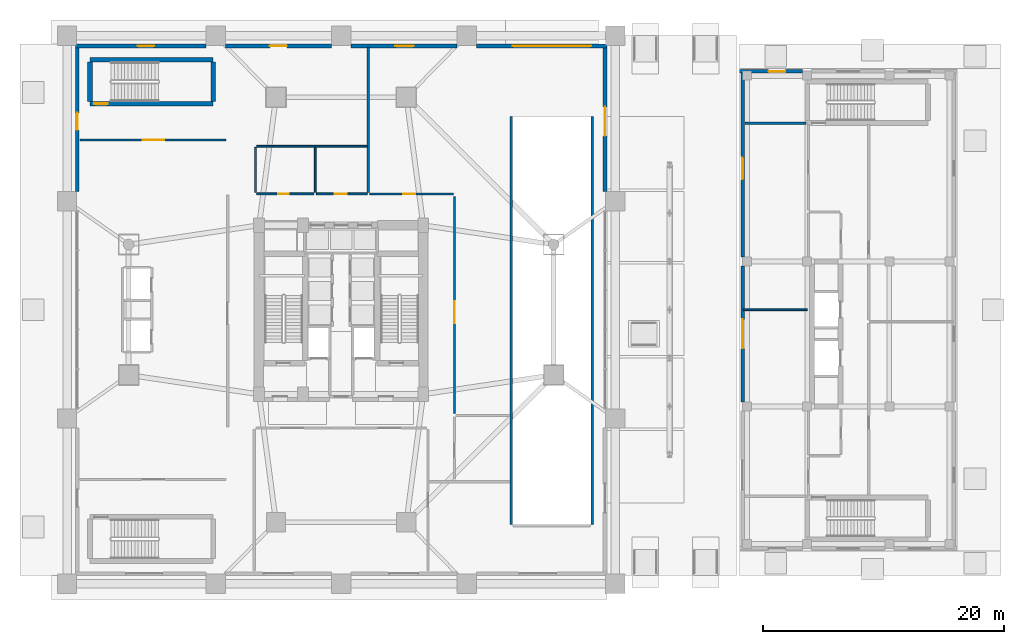
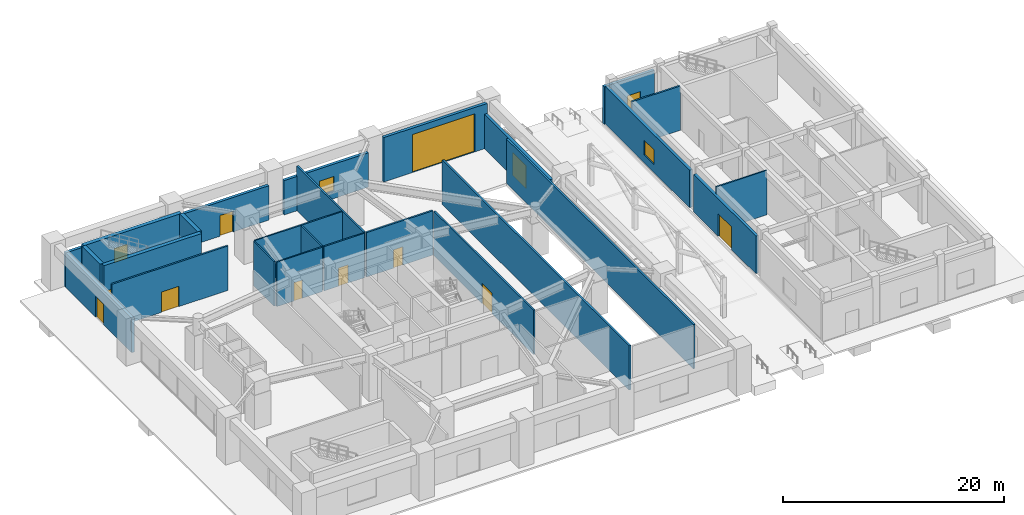
# One storey, part 20 of 27: 26 walls, 12 doors, 3 windows, 15 openings.
"""IFC4 building model written with IfcOpenShell, lengths in metres."""

from ifc_helpers import new_model, si_unit, direction, frame, frame_2d, origin, place, context, subcontext, project, spatial, rectangle, extrude, source, transform, mapped, material, layer, layer_set, type_object, element, fill, save


model = new_model("IFC4")

# Units and contexts
model_context = context("Model", 3, precision=1e-05, world=origin(), true_north=direction((0.0, 1.0)))
body_context = subcontext(model_context, "Body", "Model", "MODEL_VIEW")
ifc_project = project(units=[si_unit("LENGTHUNIT", "METRE"), si_unit("AREAUNIT", "SQUARE_METRE"), si_unit("VOLUMEUNIT", "CUBIC_METRE"), si_unit("PLANEANGLEUNIT", "RADIAN"), si_unit("MASSUNIT", "GRAM", prefix="KILO")], contexts=[model_context])

# Site, building, storey
site_placement = place(None, origin())
site = spatial("IfcSite", under=ifc_project, at=site_placement, CompositionType="ELEMENT")
building_placement = place(site_placement, origin())
building = spatial("IfcBuilding", under=site, at=building_placement, Name="Veraguas Prism Commons", CompositionType="ELEMENT")
storey_placement = place(building_placement, origin())
storey = spatial("IfcBuildingStorey", under=building, at=storey_placement, Name="L00", CompositionType="ELEMENT", Elevation=0.0)

# Wall, opening, door
ifc_material_1 = material(Name="Concrete C50/60", Category="concrete")
ifc_layer_1 = layer(ifc_material_1, 0.39990234375, Name="Clinic and Mid Core Shear Wall RC 400", Category="concrete")
ifc_layer_set_1 = layer_set([ifc_layer_1], Name="Concrete C50/60")
wall_type_1 = type_object("IfcWallType", Name="Clinic and Mid Core Shear Wall RC 400", PredefinedType="SHEAR", material=ifc_layer_set_1)
wall_1_placement = place(storey_placement, frame((3.199951171875, 41.06005859375, 0.0), z_axis=(0.0, 0.0, 1.0), x_axis=(1.0, 0.0, 0.0)))
wall_1 = element("IfcWall", 1, at=wall_1_placement, inside=storey, type_object=wall_type_1, Name="ST-M2 South Shear Wall L00", PredefinedType="SHEAR", context=body_context, shape_type="SweptSolid", body=[
    extrude(rectangle(XDim=10.199951171875, YDim=0.39990234375, at=frame_2d((5.10009765625, 0.0))), origin(), (0.0, 0.0, 1.0), 4.89990234375),
])
opening_1_placement = place(wall_1_placement, frame((0.35009765625, 0.0, 0.0)))
opening_1 = element("IfcOpeningElement", 2, at=opening_1_placement, cuts=wall_1, Name="Opening DR-05", PredefinedType="OPENING", context=body_context, shape_type="SweptSolid", body=[
    extrude(rectangle(XDim=1.10009765625, YDim=2.030029296875, at=frame_2d((0.550048828125, 1.01513671875))), frame((0.0, 0.2099609375, 0.0), z_axis=(0.0, -1.0, 0.0), x_axis=(1.0, 0.0, 0.0)), (0.0, 0.0, 1.0), 0.419921875),
])
ifc_material_2 = material(Name="Steel fire-rated door assembly", Category="steel")
door_type_1 = type_object("IfcDoorType", Name="Protected Stair and Refuge Fire Door 1100x2030", OperationType="NOTDEFINED", PredefinedType="DOOR", material=ifc_material_2)
shared_shape_1 = source(origin(), body_context, "Body", "SweptSolid", [
    extrude(rectangle(XDim=1.10009765625, YDim=2.030029296875, at=frame_2d((0.550048828125, 1.01513671875))), frame((0.0, 0.02490234375, 0.0), z_axis=(0.0, -1.0, 0.0), x_axis=(1.0, 0.0, 0.0)), (0.0, 0.0, 1.0), 0.050048828125),
])
door_1_placement = place(opening_1_placement, origin())
door_1 = element("IfcDoor", 3, at=door_1_placement, inside=storey, type_object=door_type_1, Name="Metro Stair ST-M2 Door L00", OperationType="SINGLE_SWING_RIGHT", OverallHeight=2.030029296875, OverallWidth=1.10009765625, PredefinedType="DOOR", context=body_context, shape_type="MappedRepresentation", body=[
    mapped(shared_shape_1, transform((0.0, 0.0, 0.0), scale=1.0)),
])
fill(opening_1, door_1)

# Walls
wall_2_placement = place(storey_placement, frame((3.199951171875, 44.7099609375, 0.0), z_axis=(0.0, 0.0, 1.0), x_axis=(1.0, 0.0, 0.0)))
element("IfcWall", 4, at=wall_2_placement, inside=storey, type_object=wall_type_1, Name="ST-M2 North Shear Wall L00", PredefinedType="SHEAR", context=body_context, shape_type="SweptSolid", body=[
    extrude(rectangle(XDim=10.199951171875, YDim=0.39990234375, at=frame_2d((5.10009765625, 0.0))), origin(), (0.0, 0.0, 1.0), 4.89990234375),
])
for number, where, z_axis, x_axis, name in (
    (5, (3.199951171875, 41.260009765625, 0.0), (0.0, 0.0, 1.0), (0.0, 1.0, 0.0), "ST-M2 West Shear Wall L00"),
    (6, (13.39990234375, 41.260009765625, 0.0), (0.0, 0.0, 1.0), (0.0, 1.0, 0.0), "ST-M2 East Shear Wall L00"),
):
    element("IfcWall", number, at=place(storey_placement, frame(where, z_axis=z_axis, x_axis=x_axis)), inside=storey, type_object=wall_type_1, Name=name, PredefinedType="SHEAR", context=body_context, shape_type="SweptSolid", body=[
        extrude(rectangle(XDim=3.25, YDim=0.39990234375, at=frame_2d((1.625, 0.0))), origin(), (0.0, 0.0, 1.0), 4.89990234375),
    ])

# Wall, opening, door
ifc_material_3 = material(Name="Autoclaved aerated masonry block 10 MPa", Category="masonry")
ifc_layer_2 = layer(ifc_material_3, 0.179931640625, Name="Corridor and Inter-Tenancy Partition 180", Category="masonry")
ifc_layer_set_2 = layer_set([ifc_layer_2], Name="Autoclaved aerated masonry block 10 MPa")
wall_type_2 = type_object("IfcWallType", Name="Corridor and Inter-Tenancy Partition 180", PredefinedType="PARTITIONING", material=ifc_layer_set_2)
wall_3_placement = place(storey_placement, frame((2.35009765625, 38.050048828125, 0.0), z_axis=(0.0, 0.0, 1.0), x_axis=(1.0, 0.0, 0.0)))
wall_3 = element("IfcWall", 7, at=wall_3_placement, inside=storey, type_object=wall_type_2, Name="WL-L00-MPAS2", PredefinedType="PARTITIONING", context=body_context, shape_type="SweptSolid", body=[
    extrude(rectangle(XDim=12.1298828125, YDim=0.179931640625, at=frame_2d((6.06494140625, 0.0))), origin(), (0.0, 0.0, 1.0), 4.89990234375),
])
opening_2_placement = place(wall_3_placement, frame((5.199951171875, 0.0, 0.0)))
opening_2 = element("IfcOpeningElement", 8, at=opening_2_placement, cuts=wall_3, Name="Opening DR-07", PredefinedType="OPENING", context=body_context, shape_type="SweptSolid", body=[
    extrude(rectangle(XDim=1.800048828125, YDim=2.25, at=frame_2d((0.89990234375, 1.125))), frame((0.0, 0.099853515625, 0.0), z_axis=(0.0, -1.0, 0.0), x_axis=(1.0, 0.0, 0.0)), (0.0, 0.0, 1.0), 0.199951171875),
])
door_type_2 = type_object("IfcDoorType", Name="Corridor Double Fire Door 1800x2250", OperationType="NOTDEFINED", PredefinedType="DOOR", material=ifc_material_2)
shared_shape_2 = source(origin(), body_context, "Body", "SweptSolid", [
    extrude(rectangle(XDim=1.800048828125, YDim=2.25, at=frame_2d((0.89990234375, 1.125))), frame((0.0, 0.02490234375, 0.0), z_axis=(0.0, -1.0, 0.0), x_axis=(1.0, 0.0, 0.0)), (0.0, 0.0, 1.0), 0.050048828125),
])
door_2_placement = place(opening_2_placement, origin())
door_2 = element("IfcDoor", 9, at=door_2_placement, inside=storey, type_object=door_type_2, Name="Metro North Passage Fire Door L00", OperationType="SINGLE_SWING_RIGHT", OverallHeight=2.25, OverallWidth=1.800048828125, PredefinedType="DOOR", context=body_context, shape_type="MappedRepresentation", body=[
    mapped(shared_shape_2, transform((0.0, 0.0, 0.0), scale=1.0)),
])
fill(opening_2, door_2)

wall_4_placement = place(storey_placement, frame((33.39990234375, 15.39990234375, 0.0), z_axis=(0.0, 0.0, 1.0), x_axis=(0.0, 1.0, 0.0)))
wall_4 = element("IfcWall", 10, at=wall_4_placement, inside=storey, type_object=wall_type_2, Name="WL-L00-PT05", PredefinedType="PARTITIONING", context=body_context, shape_type="SweptSolid", body=[
    extrude(rectangle(XDim=18.0, YDim=0.179931640625, at=frame_2d((9.0, 0.0))), origin(), (0.0, 0.0, 1.0), 4.89990234375),
])
opening_3_placement = place(wall_4_placement, frame((7.5, 0.0, 0.0)))
opening_3 = element("IfcOpeningElement", 11, at=opening_3_placement, cuts=wall_4, Name="Opening DR-07", PredefinedType="OPENING", context=body_context, shape_type="SweptSolid", body=[
    extrude(rectangle(XDim=1.800048828125, YDim=2.25, at=frame_2d((0.89990234375, 1.125))), frame((0.0, 0.099853515625, 0.0), z_axis=(0.0, -1.0, 0.0), x_axis=(1.0, 0.0, 0.0)), (0.0, 0.0, 1.0), 0.199951171875),
])
door_3_placement = place(opening_3_placement, origin())
door_3 = element("IfcDoor", 12, at=door_3_placement, inside=storey, type_object=door_type_2, Name="Residential Lobby Door L00", OperationType="SINGLE_SWING_RIGHT", OverallHeight=2.25, OverallWidth=1.800048828125, PredefinedType="DOOR", context=body_context, shape_type="MappedRepresentation", body=[
    mapped(shared_shape_2, transform((0.0, 0.0, 0.0), scale=1.0)),
])
fill(opening_3, door_3)

wall_5_placement = place(storey_placement, frame((26.35009765625, 33.60009765625, 0.0), z_axis=(0.0, 0.0, 1.0), x_axis=(1.0, 0.0, 0.0)))
wall_5 = element("IfcWall", 13, at=wall_5_placement, inside=storey, type_object=wall_type_2, Name="WL-L00-PT10", PredefinedType="PARTITIONING", context=body_context, shape_type="SweptSolid", body=[
    extrude(rectangle(XDim=6.949951171875, YDim=0.179931640625, at=frame_2d((3.47509765625, 0.0))), origin(), (0.0, 0.0, 1.0), 4.89990234375),
])
opening_4_placement = place(wall_5_placement, frame((2.800048828125, 0.0, 0.0)))
opening_4 = element("IfcOpeningElement", 14, at=opening_4_placement, cuts=wall_5, Name="Opening DR-13", PredefinedType="OPENING", context=body_context, shape_type="SweptSolid", body=[
    extrude(rectangle(XDim=1.0, YDim=2.010009765625, at=frame_2d((0.5, 1.0048828125))), frame((0.0, 0.099853515625, 0.0), z_axis=(0.0, -1.0, 0.0), x_axis=(1.0, 0.0, 0.0)), (0.0, 0.0, 1.0), 0.199951171875),
])
door_type_3 = type_object("IfcDoorType", Name="Core Accessible WC and Clinic Fire Door 1000x2010", OperationType="NOTDEFINED", PredefinedType="DOOR", material=ifc_material_2)
shared_shape_3 = source(origin(), body_context, "Body", "SweptSolid", [
    extrude(rectangle(XDim=1.0, YDim=2.010009765625, at=frame_2d((0.5, 1.0048828125))), frame((0.0, 0.02490234375, 0.0), z_axis=(0.0, -1.0, 0.0), x_axis=(1.0, 0.0, 0.0)), (0.0, 0.0, 1.0), 0.050048828125),
])
door_4_placement = place(opening_4_placement, origin())
door_4 = element("IfcDoor", 15, at=door_4_placement, inside=storey, type_object=door_type_3, Name="Bicycle Hub Door L00", OperationType="SINGLE_SWING_LEFT", OverallHeight=2.010009765625, OverallWidth=1.0, PredefinedType="DOOR", context=body_context, shape_type="MappedRepresentation", body=[
    mapped(shared_shape_3, transform((0.0, 0.0, 0.0), scale=1.0)),
])
fill(opening_4, door_4)

# Walls
wall_6_placement = place(storey_placement, frame((26.25, 33.719970703125, 0.0), z_axis=(0.0, 0.0, 1.0), x_axis=(0.0, 1.0, 0.0)))
element("IfcWall", 16, at=wall_6_placement, inside=storey, type_object=wall_type_2, Name="WL-L00-PT12", PredefinedType="PARTITIONING", context=body_context, shape_type="SweptSolid", body=[
    extrude(rectangle(XDim=12.06005859375, YDim=0.179931640625, at=frame_2d((6.030029296875, 0.0))), origin(), (0.0, 0.0, 1.0), 4.89990234375),
])
wall_7_placement = place(storey_placement, frame((57.449951171875, 39.449951171875, 0.0), z_axis=(0.0, 0.0, 1.0), x_axis=(1.0, 0.0, 0.0)))
element("IfcWall", 17, at=wall_7_placement, inside=storey, type_object=wall_type_2, Name="WL-L00-HCEXN", PredefinedType="PARTITIONING", context=body_context, shape_type="SweptSolid", body=[
    extrude(rectangle(XDim=5.050048828125, YDim=0.179931640625, at=frame_2d((2.52490234375, 0.0))), origin(), (0.0, 0.0, 1.0), 4.89990234375),
])

# Wall, opening, door
ifc_material_4 = material(Name="Precast concrete C40/50", Category="concrete")
ifc_layer_3 = layer(ifc_material_4, 0.300048828125, Name="External Precast Facade Wall 300", Category="concrete")
ifc_layer_set_3 = layer_set([ifc_layer_3], Name="Precast concrete C40/50")
wall_type_3 = type_object("IfcWallType", Name="External Precast Facade Wall 300", PredefinedType="SOLIDWALL", material=ifc_layer_set_3)
wall_8_placement = place(storey_placement, frame((45.85009765625, 33.800048828125, 0.0), z_axis=(0.0, 0.0, 1.0), x_axis=(0.0, 1.0, 0.0)))
wall_8 = element("IfcWall", 18, at=wall_8_placement, inside=storey, type_object=wall_type_3, Name="Podium East Plaza Wall L00-03", PredefinedType="SOLIDWALL", context=body_context, shape_type="SweptSolid", body=[
    extrude(rectangle(XDim=11.89990234375, YDim=0.300048828125, at=frame_2d((5.949951171875, 0.0))), origin(), (0.0, 0.0, 1.0), 3.800048828125),
])
opening_5_placement = place(wall_8_placement, frame((4.60009765625, 0.0, 0.0)))
opening_5 = element("IfcOpeningElement", 19, at=opening_5_placement, cuts=wall_8, Name="Opening DR-08", PredefinedType="OPENING", context=body_context, shape_type="SweptSolid", body=[
    extrude(rectangle(XDim=2.39990234375, YDim=2.5, at=frame_2d((1.199951171875, 1.25))), frame((0.0, 0.159912109375, 0.0), z_axis=(0.0, -1.0, 0.0), x_axis=(1.0, 0.0, 0.0)), (0.0, 0.0, 1.0), 0.320068359375),
])
ifc_material_5 = material(Name="Anodised aluminium EN AW-6063 T6", Category="aluminium")
door_type_4 = type_object("IfcDoorType", Name="Plaza Main Double Entrance Door 2400x2500", OperationType="NOTDEFINED", PredefinedType="DOOR", material=ifc_material_5)
shared_shape_4 = source(origin(), body_context, "Body", "SweptSolid", [
    extrude(rectangle(XDim=2.39990234375, YDim=2.5, at=frame_2d((1.199951171875, 1.25))), frame((0.0, 0.02490234375, 0.0), z_axis=(0.0, -1.0, 0.0), x_axis=(1.0, 0.0, 0.0)), (0.0, 0.0, 1.0), 0.050048828125),
])
door_5_placement = place(opening_5_placement, frame((2.39990234375, 0.0, 0.0), z_axis=(0.0, 0.0, 1.0), x_axis=(-1.0, 0.0, 0.0)))
door_5 = element("IfcDoor", 20, at=door_5_placement, inside=storey, type_object=door_type_4, Name="Plaza Entrance Door 03", OperationType="DOUBLE_SWING_LEFT", OverallHeight=2.5, OverallWidth=2.39990234375, PredefinedType="DOOR", context=body_context, shape_type="MappedRepresentation", body=[
    mapped(shared_shape_4, transform((0.0, 0.0, 0.0), scale=1.0)),
])
fill(opening_5, door_5)

wall_9_placement = place(storey_placement, frame((46.0, 45.85009765625, 0.0), z_axis=(0.0, 0.0, 1.0), x_axis=(-1.0, 0.0, 0.0)))
wall_9 = element("IfcWall", 21, at=wall_9_placement, inside=storey, type_object=wall_type_3, Name="Podium North Facade Wall L00-01", PredefinedType="SOLIDWALL", context=body_context, shape_type="SweptSolid", body=[
    extrude(rectangle(XDim=10.800048828125, YDim=0.300048828125, at=frame_2d((5.39990234375, 0.0))), origin(), (0.0, 0.0, 1.0), 4.89990234375),
])
opening_6_placement = place(wall_9_placement, frame((1.300048828125, 0.0, 0.0)))
opening_6 = element("IfcOpeningElement", 22, at=opening_6_placement, cuts=wall_9, Name="Opening VG-01", PredefinedType="OPENING", context=body_context, shape_type="SweptSolid", body=[
    extrude(rectangle(XDim=6.5, YDim=4.199951171875, at=frame_2d((3.25, 2.10009765625))), frame((0.0, 0.159912109375, 0.0), z_axis=(0.0, -1.0, 0.0), x_axis=(1.0, 0.0, 0.0)), (0.0, 0.0, 1.0), 0.320068359375),
])
ifc_material_6 = material(Name="Galvanised steel roller slats", Category="steel")
door_type_5 = type_object("IfcDoorType", Name="Car Park Exterior Roller Shutter Gate 6500x4200", OperationType="NOTDEFINED", PredefinedType="GATE", material=ifc_material_6)
shared_shape_5 = source(origin(), body_context, "Body", "SweptSolid", [
    extrude(rectangle(XDim=6.5, YDim=4.199951171875, at=frame_2d((3.25, 2.10009765625))), frame((0.0, 0.02490234375, 0.0), z_axis=(0.0, -1.0, 0.0), x_axis=(1.0, 0.0, 0.0)), (0.0, 0.0, 1.0), 0.050048828125),
])
door_6_placement = place(opening_6_placement, origin())
door_6 = element("IfcDoor", 23, at=door_6_placement, inside=storey, type_object=door_type_5, Name="Car Park Ramp Roller Shutter Gate VG-01", OperationType="ROLLINGUP", OverallHeight=4.199951171875, OverallWidth=6.5, PredefinedType="GATE", context=body_context, shape_type="MappedRepresentation", body=[
    mapped(shared_shape_5, transform((0.0, 0.0, 0.0), scale=1.0)),
])
fill(opening_6, door_6)

# Wall, opening, window
wall_10_placement = place(storey_placement, frame((33.60009765625, 45.85009765625, 0.0), z_axis=(0.0, 0.0, 1.0), x_axis=(-1.0, 0.0, 0.0)))
wall_10 = element("IfcWall", 24, at=wall_10_placement, inside=storey, type_object=wall_type_3, Name="Podium North Facade Wall L00-02", PredefinedType="SOLIDWALL", context=body_context, shape_type="SweptSolid", body=[
    extrude(rectangle(XDim=8.800048828125, YDim=0.300048828125, at=frame_2d((4.39990234375, 0.0))), origin(), (0.0, 0.0, 1.0), 3.800048828125),
])
opening_7_placement = place(wall_10_placement, frame((3.60009765625, 0.0, 0.85009765625)))
opening_7 = element("IfcOpeningElement", 25, at=opening_7_placement, cuts=wall_10, Name="Opening WN-05", PredefinedType="OPENING", context=body_context, shape_type="SweptSolid", body=[
    extrude(rectangle(XDim=1.5, YDim=1.60009765625, at=frame_2d((0.75, 0.800048828125))), frame((0.0, 0.159912109375, 0.0), z_axis=(0.0, -1.0, 0.0), x_axis=(1.0, 0.0, 0.0)), (0.0, 0.0, 1.0), 0.320068359375),
])
ifc_material_7 = material(Name="Laminated low-e glass", Category="glass")
window_type_1 = type_object("IfcWindowType", Name="Loggia Living Side Window 1500x1600", PartitioningType="DOUBLE_PANEL_VERTICAL", PredefinedType="WINDOW", material=ifc_material_7)
shared_shape_6 = source(origin(), body_context, "Body", "SweptSolid", [
    extrude(rectangle(XDim=1.5, YDim=1.60009765625, at=frame_2d((0.75, 0.800048828125))), frame((0.0, 0.030029296875, 0.0), z_axis=(0.0, -1.0, 0.0), x_axis=(1.0, 0.0, 0.0)), (0.0, 0.0, 1.0), 0.06005859375),
])
window_1_placement = place(opening_7_placement, origin())
window_1 = element("IfcWindow", 26, at=window_1_placement, inside=storey, type_object=window_type_1, Name="Podium North Window L00-02", OverallHeight=1.60009765625, OverallWidth=1.5, PartitioningType="DOUBLE_PANEL_VERTICAL", PredefinedType="WINDOW", context=body_context, shape_type="MappedRepresentation", body=[
    mapped(shared_shape_6, transform((0.0, 0.0, 0.0), scale=1.0)),
])
fill(opening_7, window_1)

# Wall, opening, door
wall_11_placement = place(storey_placement, frame((23.199951171875, 45.85009765625, 0.0), z_axis=(0.0, 0.0, 1.0), x_axis=(-1.0, 0.0, 0.0)))
wall_11 = element("IfcWall", 27, at=wall_11_placement, inside=storey, type_object=wall_type_3, Name="Podium North Facade Wall L00-03", PredefinedType="SOLIDWALL", context=body_context, shape_type="SweptSolid", body=[
    extrude(rectangle(XDim=8.800048828125, YDim=0.300048828125, at=frame_2d((4.39990234375, 0.0))), origin(), (0.0, 0.0, 1.0), 3.800048828125),
])
opening_8_placement = place(wall_11_placement, frame((3.699951171875, 0.0, 0.0)))
opening_8 = element("IfcOpeningElement", 28, at=opening_8_placement, cuts=wall_11, Name="Opening DR-09", PredefinedType="OPENING", context=body_context, shape_type="SweptSolid", body=[
    extrude(rectangle(XDim=1.39990234375, YDim=2.300048828125, at=frame_2d((0.699951171875, 1.14990234375))), frame((0.0, 0.159912109375, 0.0), z_axis=(0.0, -1.0, 0.0), x_axis=(1.0, 0.0, 0.0)), (0.0, 0.0, 1.0), 0.320068359375),
])
door_type_6 = type_object("IfcDoorType", Name="Exterior Stair Discharge Door 1400x2300", OperationType="NOTDEFINED", PredefinedType="DOOR", material=ifc_material_5)
shared_shape_7 = source(origin(), body_context, "Body", "SweptSolid", [
    extrude(rectangle(XDim=1.39990234375, YDim=2.300048828125, at=frame_2d((0.699951171875, 1.14990234375))), frame((0.0, 0.02490234375, 0.0), z_axis=(0.0, -1.0, 0.0), x_axis=(1.0, 0.0, 0.0)), (0.0, 0.0, 1.0), 0.050048828125),
])
door_7_placement = place(opening_8_placement, frame((1.39990234375, 0.0, 0.0), z_axis=(0.0, 0.0, 1.0), x_axis=(-1.0, 0.0, 0.0)))
door_7 = element("IfcDoor", 29, at=door_7_placement, inside=storey, type_object=door_type_6, Name="North Concourse Exit Door", OperationType="SINGLE_SWING_LEFT", OverallHeight=2.300048828125, OverallWidth=1.39990234375, PredefinedType="DOOR", context=body_context, shape_type="MappedRepresentation", body=[
    mapped(shared_shape_7, transform((0.0, 0.0, 0.0), scale=1.0)),
])
fill(opening_8, door_7)

# Wall, opening, window
wall_12_placement = place(storey_placement, frame((12.800048828125, 45.85009765625, 0.0), z_axis=(0.0, 0.0, 1.0), x_axis=(-1.0, 0.0, 0.0)))
wall_12 = element("IfcWall", 30, at=wall_12_placement, inside=storey, type_object=wall_type_3, Name="Podium North Facade Wall L00-04", PredefinedType="SOLIDWALL", context=body_context, shape_type="SweptSolid", body=[
    extrude(rectangle(XDim=10.800048828125, YDim=0.300048828125, at=frame_2d((5.39990234375, 0.0))), origin(), (0.0, 0.0, 1.0), 3.800048828125),
])
opening_9_placement = place(wall_12_placement, frame((4.300048828125, 0.0, 0.85009765625)))
opening_9 = element("IfcOpeningElement", 31, at=opening_9_placement, cuts=wall_12, Name="Opening WN-06", PredefinedType="OPENING", context=body_context, shape_type="SweptSolid", body=[
    extrude(rectangle(XDim=1.35009765625, YDim=1.550048828125, at=frame_2d((0.675048828125, 0.77490234375))), frame((0.0, 0.159912109375, 0.0), z_axis=(0.0, -1.0, 0.0), x_axis=(1.0, 0.0, 0.0)), (0.0, 0.0, 1.0), 0.320068359375),
])
window_type_2 = type_object("IfcWindowType", Name="Loggia Bedroom Side Window 1350x1550", PartitioningType="SINGLE_PANEL", PredefinedType="WINDOW", material=ifc_material_7)
shared_shape_8 = source(origin(), body_context, "Body", "SweptSolid", [
    extrude(rectangle(XDim=1.35009765625, YDim=1.550048828125, at=frame_2d((0.675048828125, 0.77490234375))), frame((0.0, 0.030029296875, 0.0), z_axis=(0.0, -1.0, 0.0), x_axis=(1.0, 0.0, 0.0)), (0.0, 0.0, 1.0), 0.06005859375),
])
window_2_placement = place(opening_9_placement, origin())
window_2 = element("IfcWindow", 32, at=window_2_placement, inside=storey, type_object=window_type_2, Name="Podium North Window L00-04", OverallHeight=1.550048828125, OverallWidth=1.35009765625, PartitioningType="SINGLE_PANEL", PredefinedType="WINDOW", context=body_context, shape_type="MappedRepresentation", body=[
    mapped(shared_shape_8, transform((0.0, 0.0, 0.0), scale=1.0)),
])
fill(opening_9, window_2)

# Wall, opening, door
wall_13_placement = place(storey_placement, frame((2.14990234375, 45.699951171875, 0.0), z_axis=(0.0, 0.0, 1.0), x_axis=(0.0, -1.0, 0.0)))
wall_13 = element("IfcWall", 33, at=wall_13_placement, inside=storey, type_object=wall_type_3, Name="Podium West Facade Wall L00-01", PredefinedType="SOLIDWALL", context=body_context, shape_type="SweptSolid", body=[
    extrude(rectangle(XDim=11.89990234375, YDim=0.300048828125, at=frame_2d((5.949951171875, 0.0))), origin(), (0.0, 0.0, 1.0), 3.800048828125),
])
opening_10_placement = place(wall_13_placement, frame((5.39990234375, 0.0, 0.0)))
opening_10 = element("IfcOpeningElement", 34, at=opening_10_placement, cuts=wall_13, Name="Opening DR-09", PredefinedType="OPENING", context=body_context, shape_type="SweptSolid", body=[
    extrude(rectangle(XDim=1.39990234375, YDim=2.300048828125, at=frame_2d((0.699951171875, 1.14990234375))), frame((0.0, 0.159912109375, 0.0), z_axis=(0.0, -1.0, 0.0), x_axis=(1.0, 0.0, 0.0)), (0.0, 0.0, 1.0), 0.320068359375),
])
door_8_placement = place(opening_10_placement, frame((1.39990234375, 0.0, 0.0), z_axis=(0.0, 0.0, 1.0), x_axis=(-1.0, 0.0, 0.0)))
door_8 = element("IfcDoor", 35, at=door_8_placement, inside=storey, type_object=door_type_6, Name="Metro Stair West Exit Discharge Door 1", OperationType="SINGLE_SWING_RIGHT", OverallHeight=2.300048828125, OverallWidth=1.39990234375, PredefinedType="DOOR", context=body_context, shape_type="MappedRepresentation", body=[
    mapped(shared_shape_7, transform((0.0, 0.0, 0.0), scale=1.0)),
])
fill(opening_10, door_8)

wall_14_placement = place(storey_placement, frame((62.22509765625, 43.75, 0.0), z_axis=(0.0, 0.0, 1.0), x_axis=(-1.0, 0.0, 0.0)))
wall_14 = element("IfcWall", 36, at=wall_14_placement, inside=storey, type_object=wall_type_3, Name="Health Centre North Wall L00-03", PredefinedType="SOLIDWALL", context=body_context, shape_type="SweptSolid", body=[
    extrude(rectangle(XDim=5.22509765625, YDim=0.300048828125, at=frame_2d((2.612548828125, 0.0))), origin(), (0.0, 0.0, 1.0), 4.14990234375),
])
opening_11_placement = place(wall_14_placement, frame((1.425048828125, 0.0, 0.0)))
opening_11 = element("IfcOpeningElement", 37, at=opening_11_placement, cuts=wall_14, Name="Opening DR-09", PredefinedType="OPENING", context=body_context, shape_type="SweptSolid", body=[
    extrude(rectangle(XDim=1.39990234375, YDim=2.300048828125, at=frame_2d((0.699951171875, 1.14990234375))), frame((0.0, 0.159912109375, 0.0), z_axis=(0.0, -1.0, 0.0), x_axis=(1.0, 0.0, 0.0)), (0.0, 0.0, 1.0), 0.320068359375),
])
door_9_placement = place(opening_11_placement, frame((1.39990234375, 0.0, 0.0), z_axis=(0.0, 0.0, 1.0), x_axis=(-1.0, 0.0, 0.0)))
door_9 = element("IfcDoor", 38, at=door_9_placement, inside=storey, type_object=door_type_6, Name="Health Centre North Stair Exit Door", OperationType="SINGLE_SWING_LEFT", OverallHeight=2.300048828125, OverallWidth=1.39990234375, PredefinedType="DOOR", context=body_context, shape_type="MappedRepresentation", body=[
    mapped(shared_shape_7, transform((0.0, 0.0, 0.0), scale=1.0)),
])
fill(opening_11, door_9)

# Wall, opening, window
wall_15_placement = place(storey_placement, frame((57.25, 43.60009765625, 0.0), z_axis=(0.0, 0.0, 1.0), x_axis=(0.0, -1.0, 0.0)))
wall_15 = element("IfcWall", 39, at=wall_15_placement, inside=storey, type_object=wall_type_3, Name="Health Centre West Plaza Wall L00-01", PredefinedType="SOLIDWALL", context=body_context, shape_type="SweptSolid", body=[
    extrude(rectangle(XDim=15.22509765625, YDim=0.300048828125, at=frame_2d((7.612548828125, 0.0))), origin(), (0.0, 0.0, 1.0), 4.14990234375),
])
opening_12_placement = place(wall_15_placement, frame((7.0, 0.0, 0.85009765625)))
opening_12 = element("IfcOpeningElement", 40, at=opening_12_placement, cuts=wall_15, Name="Opening WN-01", PredefinedType="OPENING", context=body_context, shape_type="SweptSolid", body=[
    extrude(rectangle(XDim=1.800048828125, YDim=1.64990234375, at=frame_2d((0.89990234375, 0.824951171875))), frame((0.0, 0.159912109375, 0.0), z_axis=(0.0, -1.0, 0.0), x_axis=(1.0, 0.0, 0.0)), (0.0, 0.0, 1.0), 0.320068359375),
])
window_type_3 = type_object("IfcWindowType", Name="Clinic Consulting Double Window 1800x1650", PartitioningType="DOUBLE_PANEL_VERTICAL", PredefinedType="WINDOW", material=ifc_material_7)
shared_shape_9 = source(origin(), body_context, "Body", "SweptSolid", [
    extrude(rectangle(XDim=1.800048828125, YDim=1.64990234375, at=frame_2d((0.89990234375, 0.824951171875))), frame((0.0, 0.030029296875, 0.0), z_axis=(0.0, -1.0, 0.0), x_axis=(1.0, 0.0, 0.0)), (0.0, 0.0, 1.0), 0.06005859375),
])
window_3_placement = place(opening_12_placement, origin())
window_3 = element("IfcWindow", 41, at=window_3_placement, inside=storey, type_object=window_type_3, Name="Health Centre West Window L00-01", OverallHeight=1.64990234375, OverallWidth=1.800048828125, PartitioningType="DOUBLE_PANEL_VERTICAL", PredefinedType="WINDOW", context=body_context, shape_type="MappedRepresentation", body=[
    mapped(shared_shape_9, transform((0.0, 0.0, 0.0), scale=1.0)),
])
fill(opening_12, window_3)

# Wall, opening, door
wall_16_placement = place(storey_placement, frame((57.25, 27.625, 0.0), z_axis=(0.0, 0.0, 1.0), x_axis=(0.0, -1.0, 0.0)))
wall_16 = element("IfcWall", 42, at=wall_16_placement, inside=storey, type_object=wall_type_3, Name="Health Centre West Plaza Wall L00-02", PredefinedType="SOLIDWALL", context=body_context, shape_type="SweptSolid", body=[
    extrude(rectangle(XDim=11.25, YDim=0.300048828125, at=frame_2d((5.625, 0.0))), origin(), (0.0, 0.0, 1.0), 4.14990234375),
])
opening_13_placement = place(wall_16_placement, frame((4.425048828125, 0.0, 0.0)))
opening_13 = element("IfcOpeningElement", 43, at=opening_13_placement, cuts=wall_16, Name="Opening DR-08", PredefinedType="OPENING", context=body_context, shape_type="SweptSolid", body=[
    extrude(rectangle(XDim=2.39990234375, YDim=2.5, at=frame_2d((1.199951171875, 1.25))), frame((0.0, 0.159912109375, 0.0), z_axis=(0.0, -1.0, 0.0), x_axis=(1.0, 0.0, 0.0)), (0.0, 0.0, 1.0), 0.320068359375),
])
door_10_placement = place(opening_13_placement, frame((2.39990234375, 0.0, 0.0), z_axis=(0.0, 0.0, 1.0), x_axis=(-1.0, 0.0, 0.0)))
door_10 = element("IfcDoor", 44, at=door_10_placement, inside=storey, type_object=door_type_4, Name="Health Centre Main Plaza Entrance Door", OperationType="DOUBLE_SWING_LEFT", OverallHeight=2.5, OverallWidth=2.39990234375, PredefinedType="DOOR", context=body_context, shape_type="MappedRepresentation", body=[
    mapped(shared_shape_4, transform((0.0, 0.0, 0.0), scale=1.0)),
])
fill(opening_13, door_10)

# Walls
ifc_layer_4 = layer(ifc_material_3, 0.199951171875, Name="Rated Shaft and Lobby Block Wall 200", Category="masonry")
ifc_layer_set_4 = layer_set([ifc_layer_4], Name="Autoclaved aerated masonry block 10 MPa")
wall_type_4 = type_object("IfcWallType", Name="Rated Shaft and Lobby Block Wall 200", PredefinedType="SOLIDWALL", material=ifc_layer_set_4)
for number, where, z_axis, x_axis, name in (
    (45, (38.10009765625, 6.199951171875, 0.0), (0.0, 0.0, 1.0), (0.0, 1.0, 0.0), "Vehicle Ramp Enclosure Wall West"),
    (46, (44.800048828125, 40.0, 0.0), (0.0, 0.0, 1.0), (0.0, -1.0, 0.0), "Vehicle Ramp Enclosure Wall East"),
):
    element("IfcWall", number, at=place(storey_placement, frame(where, z_axis=z_axis, x_axis=x_axis)), inside=storey, type_object=wall_type_4, Name=name, PredefinedType="SOLIDWALL", context=body_context, shape_type="SweptSolid", body=[
        extrude(rectangle(XDim=33.800048828125, YDim=0.199951171875, at=frame_2d((16.89990234375, 0.0))), origin(), (0.0, 0.0, 1.0), 4.89990234375),
    ])

# Wall, opening, door
ifc_material_8 = material(Name="Lightweight acoustic gypsum board")
ifc_layer_5 = layer(ifc_material_8, 0.14990234375, Name="Wet Room and Clinic Acoustic Partition 150")
ifc_layer_set_5 = layer_set([ifc_layer_5], Name="Lightweight acoustic gypsum board")
wall_type_5 = type_object("IfcWallType", Name="Wet Room and Clinic Acoustic Partition 150", PredefinedType="PARTITIONING", material=ifc_layer_set_5)
wall_17_placement = place(storey_placement, frame((17.0, 33.60009765625, 0.0), z_axis=(0.0, 0.0, 1.0), x_axis=(1.0, 0.0, 0.0)))
wall_17 = element("IfcWall", 47, at=wall_17_placement, inside=storey, type_object=wall_type_5, Name="WL-L00-PT08", PredefinedType="PARTITIONING", context=body_context, shape_type="SweptSolid", body=[
    extrude(rectangle(XDim=4.75, YDim=0.14990234375, at=frame_2d((2.375, 0.0))), origin(), (0.0, 0.0, 1.0), 4.89990234375),
])
opening_14_placement = place(wall_17_placement, frame((1.800048828125, 0.0, 0.0)))
opening_14 = element("IfcOpeningElement", 48, at=opening_14_placement, cuts=wall_17, Name="Opening DR-12", PredefinedType="OPENING", context=body_context, shape_type="SweptSolid", body=[
    extrude(rectangle(XDim=0.860107421875, YDim=2.010009765625, at=frame_2d((0.43017578125, 1.0048828125))), frame((0.0, 0.0849609375, 0.0), z_axis=(0.0, -1.0, 0.0), x_axis=(1.0, 0.0, 0.0)), (0.0, 0.0, 1.0), 0.169921875),
])
door_type_7 = type_object("IfcDoorType", Name="Core WC Fire Door 860x2010", OperationType="NOTDEFINED", PredefinedType="DOOR", material=ifc_material_2)
shared_shape_10 = source(origin(), body_context, "Body", "SweptSolid", [
    extrude(rectangle(XDim=0.860107421875, YDim=2.010009765625, at=frame_2d((0.43017578125, 1.0048828125))), frame((0.0, 0.02490234375, 0.0), z_axis=(0.0, -1.0, 0.0), x_axis=(1.0, 0.0, 0.0)), (0.0, 0.0, 1.0), 0.050048828125),
])
door_11_placement = place(opening_14_placement, origin())
door_11 = element("IfcDoor", 49, at=door_11_placement, inside=storey, type_object=door_type_7, Name="Concourse WC Door L00", OperationType="SINGLE_SWING_LEFT", OverallHeight=2.010009765625, OverallWidth=0.860107421875, PredefinedType="DOOR", context=body_context, shape_type="MappedRepresentation", body=[
    mapped(shared_shape_10, transform((0.0, 0.0, 0.0), scale=1.0)),
])
fill(opening_14, door_11)

wall_18_placement = place(storey_placement, frame((21.949951171875, 33.60009765625, 0.0), z_axis=(0.0, 0.0, 1.0), x_axis=(1.0, 0.0, 0.0)))
wall_18 = element("IfcWall", 50, at=wall_18_placement, inside=storey, type_object=wall_type_5, Name="WL-L00-PT09", PredefinedType="PARTITIONING", context=body_context, shape_type="SweptSolid", body=[
    extrude(rectangle(XDim=4.199951171875, YDim=0.14990234375, at=frame_2d((2.10009765625, 0.0))), origin(), (0.0, 0.0, 1.0), 4.89990234375),
])
opening_15_placement = place(wall_18_placement, frame((1.5, 0.0, 0.0)))
opening_15 = element("IfcOpeningElement", 51, at=opening_15_placement, cuts=wall_18, Name="Opening DR-13", PredefinedType="OPENING", context=body_context, shape_type="SweptSolid", body=[
    extrude(rectangle(XDim=1.0, YDim=2.010009765625, at=frame_2d((0.5, 1.0048828125))), frame((0.0, 0.0849609375, 0.0), z_axis=(0.0, -1.0, 0.0), x_axis=(1.0, 0.0, 0.0)), (0.0, 0.0, 1.0), 0.169921875),
])
door_12_placement = place(opening_15_placement, origin())
door_12 = element("IfcDoor", 52, at=door_12_placement, inside=storey, type_object=door_type_3, Name="Concourse Accessible WC Door L00", OperationType="SINGLE_SWING_RIGHT", OverallHeight=2.010009765625, OverallWidth=1.0, PredefinedType="DOOR", context=body_context, shape_type="MappedRepresentation", body=[
    mapped(shared_shape_3, transform((0.0, 0.0, 0.0), scale=1.0)),
])
fill(opening_15, door_12)

# Walls
for number, where, z_axis, x_axis, name in (
    (53, (16.89990234375, 33.719970703125, 0.0), (0.0, 0.0, 1.0), (0.0, 1.0, 0.0), "WL-L00-PT11W"),
    (54, (21.85009765625, 33.719970703125, 0.0), (0.0, 0.0, 1.0), (0.0, 1.0, 0.0), "WL-L00-PT11"),
):
    element("IfcWall", number, at=place(storey_placement, frame(where, z_axis=z_axis, x_axis=x_axis)), inside=storey, type_object=wall_type_5, Name=name, PredefinedType="PARTITIONING", context=body_context, shape_type="SweptSolid", body=[
        extrude(rectangle(XDim=3.72998046875, YDim=0.14990234375, at=frame_2d((1.864990234375, 0.0))), origin(), (0.0, 0.0, 1.0), 4.89990234375),
    ])
wall_19_placement = place(storey_placement, frame((17.0, 37.550048828125, 0.0), z_axis=(0.0, 0.0, 1.0), x_axis=(1.0, 0.0, 0.0)))
element("IfcWall", 55, at=wall_19_placement, inside=storey, type_object=wall_type_5, Name="WL-L00-PT13", PredefinedType="PARTITIONING", context=body_context, shape_type="SweptSolid", body=[
    extrude(rectangle(XDim=9.14990234375, YDim=0.14990234375, at=frame_2d((4.574951171875, 0.0))), origin(), (0.0, 0.0, 1.0), 4.89990234375),
])
wall_20_placement = place(storey_placement, frame((57.320068359375, 24.0, 0.0), z_axis=(0.0, 0.0, 1.0), x_axis=(1.0, 0.0, 0.0)))
element("IfcWall", 56, at=wall_20_placement, inside=storey, type_object=wall_type_5, Name="WL-L00-HCPT07", PredefinedType="PARTITIONING", context=body_context, shape_type="SweptSolid", body=[
    extrude(rectangle(XDim=5.300048828125, YDim=0.14990234375, at=frame_2d((2.64990234375, 0.0))), origin(), (0.0, 0.0, 1.0), 4.89990234375),
])

save(model, "model.ifc")
